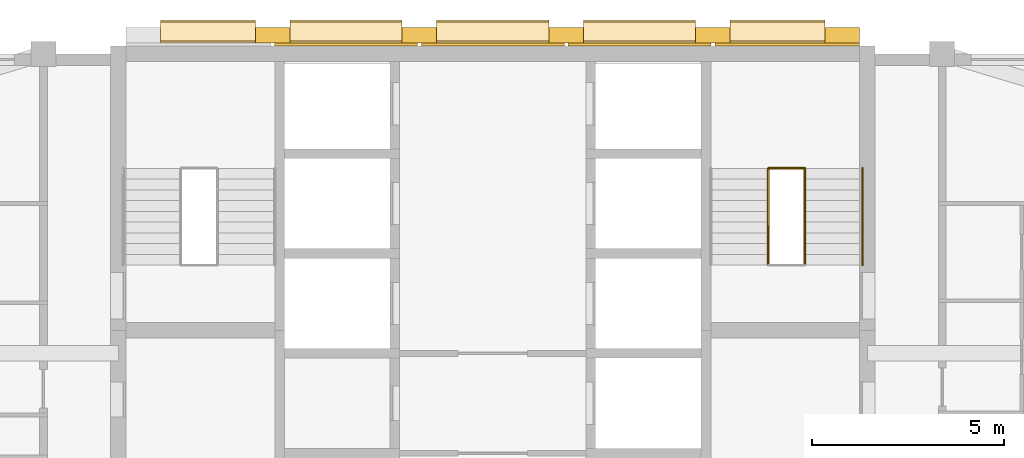
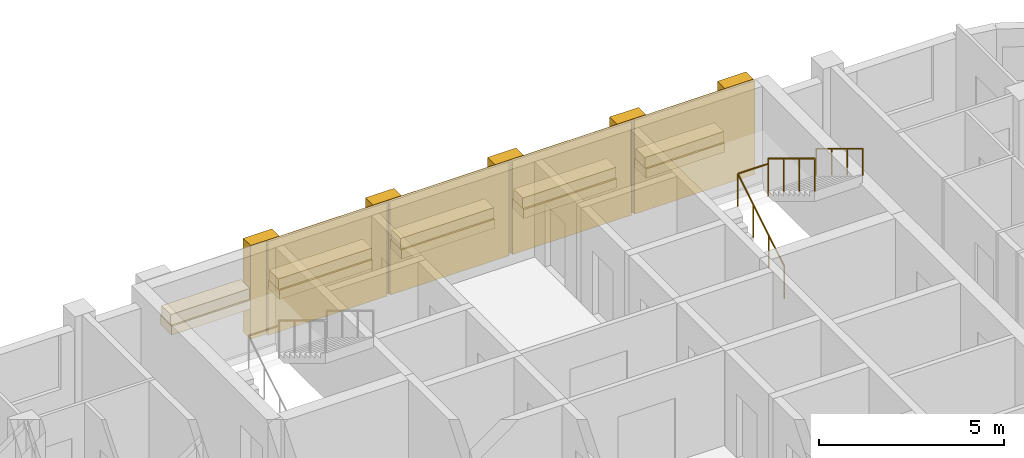
# One storey, part 13 of 13: 19 coverings, 4 railings, 1 element without a shape of its own.
"""IFC4 building model written with IfcOpenShell, lengths in metres."""

from ifc_helpers import new_model, si_unit, direction, frame, origin, origin_2d, place, context, subcontext, project, spatial, rectangle, circle, extrude, material, layer, layer_set, type_object, element, aggregate, save


model = new_model("IFC4")

# Units and contexts
model_context = context("Model", 3, precision=1e-05, world=origin(), true_north=direction((0.0, 1.0)))
body_context = subcontext(model_context, "Body", "Model", "MODEL_VIEW")
ifc_project = project(units=[si_unit("LENGTHUNIT", "METRE"), si_unit("AREAUNIT", "SQUARE_METRE"), si_unit("VOLUMEUNIT", "CUBIC_METRE"), si_unit("PLANEANGLEUNIT", "RADIAN"), si_unit("MASSUNIT", "GRAM", prefix="KILO")], contexts=[model_context])

# Site, building, storey
site_placement = place(None, origin())
site = spatial("IfcSite", under=ifc_project, at=site_placement, CompositionType="ELEMENT")
building_placement = place(site_placement, origin())
building = spatial("IfcBuilding", under=site, at=building_placement, Name="Ludao Terraces", CompositionType="ELEMENT")
storey_placement = place(building_placement, frame((0.0, 0.0, 249.39990234375)))
storey = spatial("IfcBuildingStorey", under=building, at=storey_placement, Name="L68", CompositionType="ELEMENT", Elevation=249.39990234375)

# Coverings
ifc_material_1 = material(Name="Granite cladding", Category="masonry")
ifc_layer_1 = layer(ifc_material_1, 0.39990234375)
ifc_layer_set_1 = layer_set([ifc_layer_1], Name="ENV Core pilaster stone 400")
covering_type_1 = type_object("IfcCoveringType", Name="ENV Core pilaster stone 400", PredefinedType="CLADDING", material=ifc_layer_set_1)
for number, where, z_axis, x_axis, name in (
    (1, (79.27001953125, 84.97998046875, 0.0), (0.0, 0.0, 1.0), (1.0, 0.0, 0.0), "CC-L68-PIL2"),
    (2, (83.090087890625, 84.97998046875, 0.0), (0.0, 0.0, 1.0), (1.0, 0.0, 0.0), "CC-L68-PIL3"),
    (3, (86.909912109375, 84.97998046875, 0.0), (0.0, 0.0, 1.0), (1.0, 0.0, 0.0), "CC-L68-PIL4"),
    (4, (90.72998046875, 84.97998046875, 0.0), (0.0, 0.0, 1.0), (1.0, 0.0, 0.0), "CC-L68-PIL5"),
    (5, (94.10009765625, 84.97998046875, 0.0), (0.0, 0.0, 1.0), (1.0, 0.0, 0.0), "CC-L68-PIL6"),
):
    element("IfcCovering", number, at=place(storey_placement, frame(where, z_axis=z_axis, x_axis=x_axis)), inside=storey, type_object=covering_type_1, Name=name, PredefinedType="CLADDING", context=body_context, shape_type="SweptSolid", body=[
        extrude(rectangle(XDim=0.89990234375, YDim=0.39990234375, at=origin_2d()), origin(), (0.0, 0.0, 1.0), 3.10009765625),
    ])
ifc_layer_2 = layer(ifc_material_1, 0.60009765625)
ifc_layer_set_2 = layer_set([ifc_layer_2], Name="ENV Core planting shelf stone 600")
covering_type_2 = type_object("IfcCoveringType", Name="ENV Core planting shelf stone 600", PredefinedType="CLADDING", material=ifc_layer_set_2)
covering_1_placement = place(storey_placement, frame((77.5849609375, 85.080078125, 1.0), z_axis=(0.0, 0.0, 1.0), x_axis=(1.0, 0.0, 0.0)))
element("IfcCovering", 6, at=covering_1_placement, inside=storey, type_object=covering_type_2, Name="CC-L68-SHELF1", PredefinedType="CLADDING", context=body_context, shape_type="SweptSolid", body=[
    extrude(rectangle(XDim=2.469970703125, YDim=0.60009765625, at=origin_2d()), origin(), (0.0, 0.0, 1.0), 0.300048828125),
])
for number, where, z_axis, x_axis, name in (
    (7, (81.179931640625, 85.080078125, 1.0), (0.0, 0.0, 1.0), (1.0, 0.0, 0.0), "CC-L68-SHELF2"),
    (8, (85.0, 85.080078125, 1.0), (0.0, 0.0, 1.0), (1.0, 0.0, 0.0), "CC-L68-SHELF3"),
    (9, (88.820068359375, 85.080078125, 1.0), (0.0, 0.0, 1.0), (1.0, 0.0, 0.0), "CC-L68-SHELF4"),
):
    element("IfcCovering", number, at=place(storey_placement, frame(where, z_axis=z_axis, x_axis=x_axis)), inside=storey, type_object=covering_type_2, Name=name, PredefinedType="CLADDING", context=body_context, shape_type="SweptSolid", body=[
        extrude(rectangle(XDim=2.919921875, YDim=0.60009765625, at=origin_2d()), origin(), (0.0, 0.0, 1.0), 0.300048828125),
    ])
covering_2_placement = place(storey_placement, frame((92.4150390625, 85.080078125, 1.0), z_axis=(0.0, 0.0, 1.0), x_axis=(1.0, 0.0, 0.0)))
element("IfcCovering", 10, at=covering_2_placement, inside=storey, type_object=covering_type_2, Name="CC-L68-SHELF5", PredefinedType="CLADDING", context=body_context, shape_type="SweptSolid", body=[
    extrude(rectangle(XDim=2.469970703125, YDim=0.60009765625, at=origin_2d()), origin(), (0.0, 0.0, 1.0), 0.300048828125),
])
ifc_layer_3 = layer(ifc_material_1, 0.080078125)
ifc_layer_set_3 = layer_set([ifc_layer_3], Name="ENV Core stone cladding panel 80")
covering_type_3 = type_object("IfcCoveringType", Name="ENV Core stone cladding panel 80", PredefinedType="CLADDING", material=ifc_layer_set_3)
for number, where, z_axis, x_axis, name in (
    (11, (81.179931640625, 84.739990234375, 0.0), (0.0, 0.0, 1.0), (1.0, 0.0, 0.0), "CC-L68-CORE2"),
    (12, (85.0, 84.739990234375, 0.0), (0.0, 0.0, 1.0), (1.0, 0.0, 0.0), "CC-L68-CORE3"),
    (13, (88.820068359375, 84.739990234375, 0.0), (0.0, 0.0, 1.0), (1.0, 0.0, 0.0), "CC-L68-CORE4"),
):
    element("IfcCovering", number, at=place(storey_placement, frame(where, z_axis=z_axis, x_axis=x_axis)), inside=storey, type_object=covering_type_3, Name=name, PredefinedType="CLADDING", context=body_context, shape_type="SweptSolid", body=[
        extrude(rectangle(XDim=3.719970703125, YDim=0.080078125, at=origin_2d()), origin(), (0.0, 0.0, 1.0), 3.10009765625),
    ])
covering_3_placement = place(storey_placement, frame((92.6650390625, 84.739990234375, 0.0), z_axis=(0.0, 0.0, 1.0), x_axis=(1.0, 0.0, 0.0)))
element("IfcCovering", 14, at=covering_3_placement, inside=storey, type_object=covering_type_3, Name="CC-L68-CORE5", PredefinedType="CLADDING", context=body_context, shape_type="SweptSolid", body=[
    extrude(rectangle(XDim=3.77001953125, YDim=0.080078125, at=origin_2d()), origin(), (0.0, 0.0, 1.0), 3.10009765625),
])
ifc_material_2 = material(Name="Planting")
ifc_layer_4 = layer(ifc_material_2, 0.5)
ifc_layer_set_4 = layer_set([ifc_layer_4], Name="ENV Shelf planting bed 350")
covering_type_4 = type_object("IfcCoveringType", Name="ENV Shelf planting bed 350", PredefinedType="USERDEFINED", material=ifc_layer_set_4)
covering_4_placement = place(storey_placement, frame((77.5849609375, 85.080078125, 1.300048828125), z_axis=(0.0, 0.0, 1.0), x_axis=(1.0, 0.0, 0.0)))
element("IfcCovering", 15, at=covering_4_placement, inside=storey, type_object=covering_type_4, Name="Shelf planting bed L68 1", ObjectType="PLANTING", PredefinedType="USERDEFINED", context=body_context, shape_type="SweptSolid", body=[
    extrude(rectangle(XDim=2.469970703125, YDim=0.5, at=origin_2d()), origin(), (0.0, 0.0, 1.0), 0.35009765625),
])
for number, where, z_axis, x_axis, name in (
    (16, (81.179931640625, 85.080078125, 1.300048828125), (0.0, 0.0, 1.0), (1.0, 0.0, 0.0), "Shelf planting bed L68 2"),
    (17, (85.0, 85.080078125, 1.300048828125), (0.0, 0.0, 1.0), (1.0, 0.0, 0.0), "Shelf planting bed L68 3"),
    (18, (88.820068359375, 85.080078125, 1.300048828125), (0.0, 0.0, 1.0), (1.0, 0.0, 0.0), "Shelf planting bed L68 4"),
):
    element("IfcCovering", number, at=place(storey_placement, frame(where, z_axis=z_axis, x_axis=x_axis)), inside=storey, type_object=covering_type_4, Name=name, ObjectType="PLANTING", PredefinedType="USERDEFINED", context=body_context, shape_type="SweptSolid", body=[
        extrude(rectangle(XDim=2.919921875, YDim=0.5, at=origin_2d()), origin(), (0.0, 0.0, 1.0), 0.35009765625),
    ])
covering_5_placement = place(storey_placement, frame((92.4150390625, 85.080078125, 1.300048828125), z_axis=(0.0, 0.0, 1.0), x_axis=(1.0, 0.0, 0.0)))
element("IfcCovering", 19, at=covering_5_placement, inside=storey, type_object=covering_type_4, Name="Shelf planting bed L68 5", ObjectType="PLANTING", PredefinedType="USERDEFINED", context=body_context, shape_type="SweptSolid", body=[
    extrude(rectangle(XDim=2.469970703125, YDim=0.5, at=origin_2d()), origin(), (0.0, 0.0, 1.0), 0.35009765625),
])

# Stair, railings
ifc_material_3 = material(Name="Concrete C40", Category="concrete")
stair_type = type_object("IfcStairType", Name="INT Stair", PredefinedType="HALF_TURN_STAIR", material=ifc_material_3)
stair_placement = place(storey_placement, origin())
stair = element("IfcStair", 20, at=stair_placement, inside=storey, type_object=stair_type, Name="EXIT STAIR 2", PredefinedType="HALF_TURN_STAIR")
ifc_material_4 = material(Name="Stainless steel 304", Category="steel")
railing_type_1 = type_object("IfcRailingType", Name="INT Stair guard 1100", PredefinedType="GUARDRAIL", material=ifc_material_4)
railing_1_placement = place(storey_placement, frame((92.175048828125, 79.0, 0.170166015625)))
railing_1 = element("IfcRailing", 21, at=railing_1_placement, type_object=railing_type_1, Name="ST-L68-S2-R1G", PredefinedType="GUARDRAIL", context=body_context, shape_type="SweptSolid", body=[
    extrude(circle(Radius=0.02392578125, at=origin_2d()), frame((0.0, 0.0, 1.076171875), z_axis=(0.0, 0.85478489116, 0.518982456201), x_axis=(-1.0, 0.0, 0.0)), (0.0, 0.0, 1.0), 2.9482421875),
    extrude(circle(Radius=0.02099609375, at=origin_2d()), origin(), (0.0, 0.0, 1.0), 1.052001953125),
    extrude(circle(Radius=0.02099609375, at=origin_2d()), frame((0.0, 0.840087890625, 0.510009765625)), (0.0, 0.0, 1.0), 1.052001953125),
    extrude(circle(Radius=0.02099609375, at=origin_2d()), frame((0.0, 1.679931640625, 1.02001953125)), (0.0, 0.0, 1.0), 1.052001953125),
    extrude(circle(Radius=0.02099609375, at=origin_2d()), frame((0.0, 2.52001953125, 1.530029296875)), (0.0, 0.0, 1.0), 1.052001953125),
])
railing_2_placement = place(storey_placement, frame((93.125, 81.52001953125, 1.8701171875)))
railing_2 = element("IfcRailing", 22, at=railing_2_placement, type_object=railing_type_1, Name="ST-L68-S2-R2G", PredefinedType="GUARDRAIL", context=body_context, shape_type="SweptSolid", body=[
    extrude(circle(Radius=0.02392578125, at=origin_2d()), frame((0.0, 0.0, 1.076171875), z_axis=(0.0, -0.85478489116, 0.518982456201), x_axis=(1.0, 0.0, 0.0)), (0.0, 0.0, 1.0), 2.9482421875),
    extrude(circle(Radius=0.02099609375, at=origin_2d()), origin(), (0.0, 0.0, 1.0), 1.052001953125),
    extrude(circle(Radius=0.02099609375, at=origin_2d()), frame((0.0, -0.840087890625, 0.510009765625)), (0.0, 0.0, 1.0), 1.052001953125),
    extrude(circle(Radius=0.02099609375, at=origin_2d()), frame((0.0, -1.679931640625, 1.02001953125)), (0.0, 0.0, 1.0), 1.052001953125),
    extrude(circle(Radius=0.02099609375, at=origin_2d()), frame((0.0, -2.52001953125, 1.530029296875)), (0.0, 0.0, 1.0), 1.052001953125),
])
railing_3_placement = place(storey_placement, frame((92.175048828125, 81.52001953125, 1.7001953125)))
railing_3 = element("IfcRailing", 23, at=railing_3_placement, type_object=railing_type_1, Name="ST-L68-S2-E1G", PredefinedType="GUARDRAIL", context=body_context, shape_type="SweptSolid", body=[
    extrude(circle(Radius=0.02392578125, at=origin_2d()), frame((0.0, 0.0, 1.076171875), z_axis=(1.0, 0.0, 0.0), x_axis=(0.0, 1.0, 0.0)), (0.0, 0.0, 1.0), 0.949951171875),
    extrude(circle(Radius=0.02099609375, at=origin_2d()), origin(), (0.0, 0.0, 1.0), 1.052001953125),
    extrude(circle(Radius=0.02099609375, at=origin_2d()), frame((0.949951171875, 0.0, 0.0)), (0.0, 0.0, 1.0), 1.052001953125),
])
railing_type_2 = type_object("IfcRailingType", Name="INT Stair handrail 900", PredefinedType="HANDRAIL", material=ifc_material_4)
railing_4_placement = place(storey_placement, frame((94.625, 81.52001953125, 1.8701171875)))
railing_4 = element("IfcRailing", 24, at=railing_4_placement, type_object=railing_type_2, Name="ST-L68-S2-R2H", PredefinedType="HANDRAIL", context=body_context, shape_type="SweptSolid", body=[
    extrude(circle(Radius=0.02392578125, at=origin_2d()), frame((0.0, 0.0, 0.8759765625), z_axis=(0.0, -0.85478489116, 0.518982456201), x_axis=(1.0, 0.0, 0.0)), (0.0, 0.0, 1.0), 2.9482421875),
    extrude(circle(Radius=0.02099609375, at=origin_2d()), origin(), (0.0, 0.0, 1.0), 0.851806640625),
    extrude(circle(Radius=0.02099609375, at=origin_2d()), frame((0.0, -0.840087890625, 0.510009765625)), (0.0, 0.0, 1.0), 0.851806640625),
    extrude(circle(Radius=0.02099609375, at=origin_2d()), frame((0.0, -1.679931640625, 1.02001953125)), (0.0, 0.0, 1.0), 0.851806640625),
    extrude(circle(Radius=0.02099609375, at=origin_2d()), frame((0.0, -2.52001953125, 1.530029296875)), (0.0, 0.0, 1.0), 0.851806640625),
])
aggregate(stair, [railing_1, railing_2, railing_4, railing_3])

save(model, "model.ifc")
